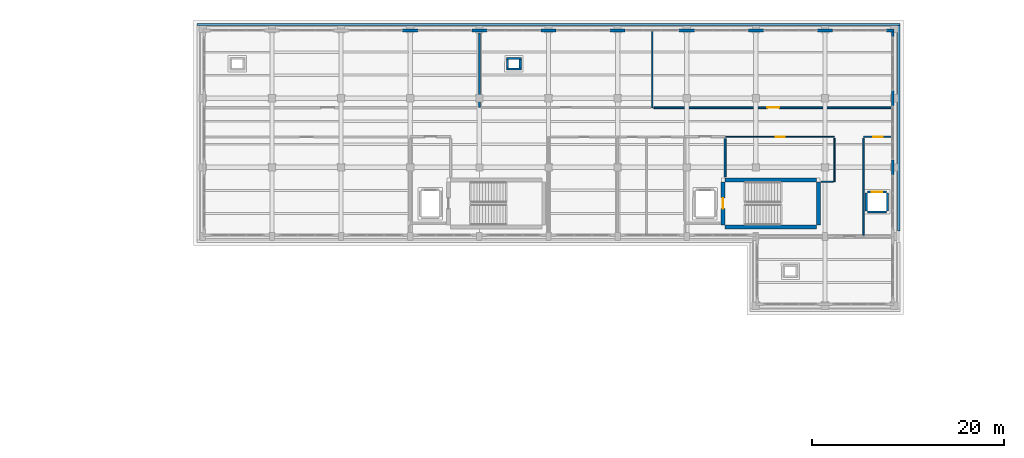
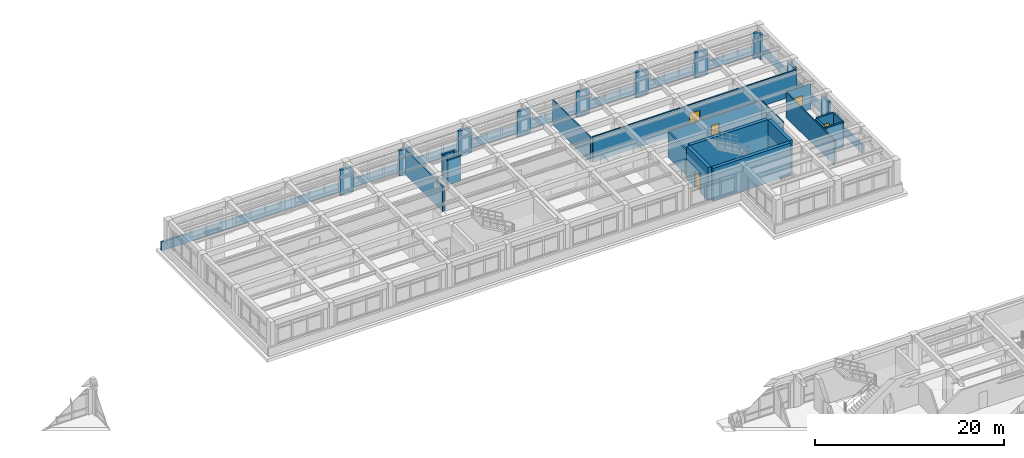
# One storey, part 52 of 67: 34 walls, 5 doors, 5 openings.
"""IFC4 building model written with IfcOpenShell, lengths in metres."""

from ifc_helpers import new_model, si_unit, direction, frame, frame_2d, origin, place, context, subcontext, project, spatial, rectangle, extrude, material, layer, layer_set, type_object, element, fill, save


model = new_model("IFC4")

# Units and contexts
model_context = context("Model", 3, precision=1e-05, world=origin(), true_north=direction((0.0, 1.0)))
body_context = subcontext(model_context, "Body", "Model", "MODEL_VIEW")
ifc_project = project(units=[si_unit("LENGTHUNIT", "METRE"), si_unit("AREAUNIT", "SQUARE_METRE"), si_unit("VOLUMEUNIT", "CUBIC_METRE"), si_unit("PLANEANGLEUNIT", "RADIAN"), si_unit("MASSUNIT", "GRAM", prefix="KILO")], contexts=[model_context])

# Site, building, storey
site_placement = place(None, origin())
site = spatial("IfcSite", under=ifc_project, at=site_placement, CompositionType="ELEMENT")
building_placement = place(site_placement, origin())
building = spatial("IfcBuilding", under=site, at=building_placement, Name="Solenvale Faculty of Natural Sciences", CompositionType="ELEMENT")
storey_placement = place(building_placement, frame((0.0, 0.0, 13.5)))
storey = spatial("IfcBuildingStorey", under=building, at=storey_placement, Name="L03", CompositionType="ELEMENT", Elevation=13.5)

# Walls
ifc_material_1 = material(Name="Precast concrete 40 MPa", Category="concrete")
ifc_layer_1 = layer(ifc_material_1, 0.284912109375)
ifc_layer_set_1 = layer_set([ifc_layer_1], Name="Precast concrete 40 MPa")
wall_type_1 = type_object("IfcWallType", Name="WL-EXT-PRC-285", PredefinedType="STANDARD", material=ifc_layer_set_1)
wall_1_placement = place(storey_placement, frame((151.0576171875, 100.011962890625, 0.0), z_axis=(0.0, 0.0, 1.0), x_axis=(0.0, 1.0, 0.0)))
element("IfcWall", 1, at=wall_1_placement, inside=storey, type_object=wall_type_1, Name="L03 Facade Closure Pier 3.B1-R", PredefinedType="STANDARD", context=body_context, shape_type="SweptSolid", body=[
    extrude(rectangle(XDim=1.575927734375, YDim=0.284912109375, at=frame_2d((0.7880859375, 0.0))), origin(), (0.0, 0.0, 1.0), 3.260009765625),
])
wall_2_placement = place(storey_placement, frame((151.0576171875, 107.2119140625, 0.0), z_axis=(0.0, 0.0, 1.0), x_axis=(0.0, 1.0, 0.0)))
element("IfcWall", 2, at=wall_2_placement, inside=storey, type_object=wall_type_1, Name="L03 Facade Closure Pier 3.B2-R", PredefinedType="STANDARD", context=body_context, shape_type="SweptSolid", body=[
    extrude(rectangle(XDim=1.576171875, YDim=0.284912109375, at=frame_2d((0.7880859375, 0.0))), origin(), (0.0, 0.0, 1.0), 3.260009765625),
])
wall_3_placement = place(storey_placement, frame((151.0576171875, 114.412109375, 0.0), z_axis=(0.0, 0.0, 1.0), x_axis=(0.0, 1.0, 0.0)))
element("IfcWall", 3, at=wall_3_placement, inside=storey, type_object=wall_type_1, Name="L03 Facade Closure Pier 3.B3-R", PredefinedType="STANDARD", context=body_context, shape_type="SweptSolid", body=[
    extrude(rectangle(XDim=0.5029296875, YDim=0.284912109375, at=frame_2d((0.25146484375, 0.0))), origin(), (0.0, 0.0, 1.0), 3.260009765625),
])
wall_4_placement = place(storey_placement, frame((151.199951171875, 115.0576171875, 0.0), z_axis=(0.0, 0.0, 1.0), x_axis=(-1.0, 0.0, 0.0)))
element("IfcWall", 4, at=wall_4_placement, inside=storey, type_object=wall_type_1, Name="L03 Facade Closure Pier 4.B1-L", PredefinedType="STANDARD", context=body_context, shape_type="SweptSolid", body=[
    extrude(rectangle(XDim=0.787841796875, YDim=0.284912109375, at=frame_2d((0.39404296875, 0.0))), origin(), (0.0, 0.0, 1.0), 3.260009765625),
])
wall_5_placement = place(storey_placement, frame((144.7880859375, 115.0576171875, 0.0), z_axis=(0.0, 0.0, 1.0), x_axis=(-1.0, 0.0, 0.0)))
element("IfcWall", 5, at=wall_5_placement, inside=storey, type_object=wall_type_1, Name="L03 Facade Closure Pier 4.B1-R", PredefinedType="STANDARD", context=body_context, shape_type="SweptSolid", body=[
    extrude(rectangle(XDim=1.576171875, YDim=0.284912109375, at=frame_2d((0.7880859375, 0.0))), origin(), (0.0, 0.0, 1.0), 3.260009765625),
])
for number, where, z_axis, x_axis, name in (
    (6, (137.587890625, 115.0576171875, 0.0), (0.0, 0.0, 1.0), (-1.0, 0.0, 0.0), "L03 Facade Closure Pier 4.B2-R"),
    (7, (130.387939453125, 115.0576171875, 0.0), (0.0, 0.0, 1.0), (-1.0, 0.0, 0.0), "L03 Facade Closure Pier 4.B3-R"),
    (8, (123.18798828125, 115.0576171875, 0.0), (0.0, 0.0, 1.0), (-1.0, 0.0, 0.0), "L03 Facade Closure Pier 4.B4-R"),
    (9, (115.988037109375, 115.0576171875, 0.0), (0.0, 0.0, 1.0), (-1.0, 0.0, 0.0), "L03 Facade Closure Pier 4.B5-R"),
):
    element("IfcWall", number, at=place(storey_placement, frame(where, z_axis=z_axis, x_axis=x_axis)), inside=storey, type_object=wall_type_1, Name=name, PredefinedType="STANDARD", context=body_context, shape_type="SweptSolid", body=[
        extrude(rectangle(XDim=1.575927734375, YDim=0.284912109375, at=frame_2d((0.7880859375, 0.0))), origin(), (0.0, 0.0, 1.0), 3.260009765625),
    ])
wall_6_placement = place(storey_placement, frame((108.7880859375, 115.0576171875, 0.0), z_axis=(0.0, 0.0, 1.0), x_axis=(-1.0, 0.0, 0.0)))
element("IfcWall", 10, at=wall_6_placement, inside=storey, type_object=wall_type_1, Name="L03 Facade Closure Pier 4.B6-R", PredefinedType="STANDARD", context=body_context, shape_type="SweptSolid", body=[
    extrude(rectangle(XDim=1.576171875, YDim=0.284912109375, at=frame_2d((0.7880859375, 0.0))), origin(), (0.0, 0.0, 1.0), 3.260009765625),
])
wall_7_placement = place(storey_placement, frame((101.587890625, 115.0576171875, 0.0), z_axis=(0.0, 0.0, 1.0), x_axis=(-1.0, 0.0, 0.0)))
element("IfcWall", 11, at=wall_7_placement, inside=storey, type_object=wall_type_1, Name="L03 Facade Closure Pier 4.B7-R", PredefinedType="STANDARD", context=body_context, shape_type="SweptSolid", body=[
    extrude(rectangle(XDim=1.575927734375, YDim=0.284912109375, at=frame_2d((0.7880859375, 0.0))), origin(), (0.0, 0.0, 1.0), 3.260009765625),
])
ifc_material_2 = material(Name="Gypsum fire-rated shaftwall")
ifc_layer_2 = layer(ifc_material_2, 0.205078125)
ifc_layer_set_2 = layer_set([ifc_layer_2], Name="Gypsum fire-rated shaftwall")
wall_type_2 = type_object("IfcWallType", Name="WL-FFL-205", PredefinedType="PARTITIONING", material=ifc_layer_set_2)
wall_8_placement = place(storey_placement, frame((133.60009765625, 103.782958984375, 0.0), z_axis=(0.0, 0.0, 1.0), x_axis=(0.0, -1.0, 0.0)))
element("IfcWall", 12, at=wall_8_placement, inside=storey, type_object=wall_type_2, Name="L03 Firefighting Lobby C5 Partition 2", PredefinedType="PARTITIONING", context=body_context, shape_type="SweptSolid", body=[
    extrude(rectangle(XDim=3.9580078125, YDim=0.205078125, at=frame_2d((1.97900390625, 0.0))), origin(), (0.0, 0.0, 1.0), 3.260009765625),
])

# Wall, opening, door
ifc_material_3 = material(Name="Gypsum fire-rated laboratory partition")
ifc_layer_3 = layer(ifc_material_3, 0.175048828125)
ifc_layer_set_3 = layer_set([ifc_layer_3], Name="Gypsum fire-rated laboratory partition")
wall_type_3 = type_object("IfcWallType", Name="WL-LAB-175", PredefinedType="PARTITIONING", material=ifc_layer_set_3)
wall_9_placement = place(storey_placement, frame((151.01806640625, 107.02001953125, 0.0), z_axis=(0.0, 0.0, 1.0), x_axis=(-1.0, 0.0, 0.0)))
wall_9 = element("IfcWall", 13, at=wall_9_placement, inside=storey, type_object=wall_type_3, Name="L03 Optics and Photonics Research Laboratory Partition 4", PredefinedType="PARTITIONING", context=body_context, shape_type="SweptSolid", body=[
    extrude(rectangle(XDim=24.84912109375, YDim=0.175048828125, at=frame_2d((12.424560546875, 0.0))), origin(), (0.0, 0.0, 1.0), 3.260009765625),
])
opening_1_placement = place(wall_9_placement, frame((11.800048828125, 0.0, 0.0)))
opening_1 = element("IfcOpeningElement", 14, at=opening_1_placement, cuts=wall_9, Name="Opening D-L03-15", PredefinedType="OPENING", context=body_context, shape_type="SweptSolid", body=[
    extrude(rectangle(XDim=1.25, YDim=2.14990234375, at=frame_2d((0.625, 1.074951171875))), frame((0.0, 0.097412109375, 0.0), z_axis=(0.0, -1.0, 0.0), x_axis=(1.0, 0.0, 0.0)), (0.0, 0.0, 1.0), 0.195068359375),
])
ifc_material_4 = material(Name="Oak acoustic timber leaf", Category="wood")
door_type_1 = type_object("IfcDoorType", Name="DR-LAB-1250x2150", OperationType="NOTDEFINED", PredefinedType="DOOR", material=ifc_material_4)
door_1_placement = place(opening_1_placement, origin())
door_1 = element("IfcDoor", 15, at=door_1_placement, inside=storey, type_object=door_type_1, Name="L03 Optics and Photonics Research Laboratory Door", OperationType="SINGLE_SWING_LEFT", OverallHeight=2.14990234375, OverallWidth=1.25, PredefinedType="DOOR", context=body_context, shape_type="SweptSolid", body=[
    extrude(rectangle(XDim=1.25, YDim=2.14990234375, at=frame_2d((0.625, 1.074951171875))), frame((0.0, 0.02490234375, 0.0), z_axis=(0.0, -1.0, 0.0), x_axis=(1.0, 0.0, 0.0)), (0.0, 0.0, 1.0), 0.050048828125),
])
fill(opening_1, door_1)

# Wall
ifc_layer_4 = layer(ifc_material_3, 0.22802734375)
ifc_layer_set_4 = layer_set([ifc_layer_4], Name="Gypsum fire-rated laboratory partition")
wall_type_4 = type_object("IfcWallType", Name="WL-LAB-228", PredefinedType="PARTITIONING", material=ifc_layer_set_4)
wall_10_placement = place(storey_placement, frame((108.0, 114.7890625, 0.0), z_axis=(0.0, 0.0, 1.0), x_axis=(0.0, -1.0, 0.0)))
element("IfcWall", 16, at=wall_10_placement, inside=storey, type_object=wall_type_4, Name="L03 Environmental Genomics Laboratory Partition 3", PredefinedType="PARTITIONING", context=body_context, shape_type="SweptSolid", body=[
    extrude(rectangle(XDim=7.76904296875, YDim=0.22802734375, at=frame_2d((3.884521484375, 0.0))), origin(), (0.0, 0.0, 1.0), 3.260009765625),
])

# Wall, opening, door
ifc_material_5 = material(Name="Acoustic stud gypsum partition")
ifc_layer_5 = layer(ifc_material_5, 0.125)
ifc_layer_set_5 = layer_set([ifc_layer_5], Name="Acoustic stud gypsum partition")
wall_type_5 = type_object("IfcWallType", Name="WL-OFF-125", PredefinedType="PARTITIONING", material=ifc_layer_set_5)
wall_11_placement = place(storey_placement, frame((133.674072265625, 103.97998046875, 0.0), z_axis=(0.0, 0.0, 1.0), x_axis=(1.0, 0.0, 0.0)))
wall_11 = element("IfcWall", 17, at=wall_11_placement, inside=storey, type_object=wall_type_5, Name="L03 Building Electrical and Telecom Closet Partition 18", PredefinedType="PARTITIONING", context=body_context, shape_type="SweptSolid", body=[
    extrude(rectangle(XDim=11.305908203125, YDim=0.125, at=frame_2d((5.65283203125, 0.0))), origin(), (0.0, 0.0, 1.0), 3.260009765625),
])
opening_2_placement = place(wall_11_placement, frame((5.193115234375, 0.0, 0.0)))
opening_2 = element("IfcOpeningElement", 18, at=opening_2_placement, cuts=wall_11, Name="Opening D-L03-19", PredefinedType="OPENING", context=body_context, shape_type="SweptSolid", body=[
    extrude(rectangle(XDim=0.919921875, YDim=2.10009765625, at=frame_2d((0.4599609375, 1.050048828125))), frame((0.0, 0.072509765625, 0.0), z_axis=(0.0, -1.0, 0.0), x_axis=(1.0, 0.0, 0.0)), (0.0, 0.0, 1.0), 0.14501953125),
])
door_type_2 = type_object("IfcDoorType", Name="DR-OFF-0920x2100", OperationType="NOTDEFINED", PredefinedType="DOOR", material=ifc_material_4)
door_2_placement = place(opening_2_placement, origin())
door_2 = element("IfcDoor", 19, at=door_2_placement, inside=storey, type_object=door_type_2, Name="L03 Building Electrical and Telecom Closet Door", OperationType="SINGLE_SWING_LEFT", OverallHeight=2.10009765625, OverallWidth=0.919921875, PredefinedType="DOOR", context=body_context, shape_type="SweptSolid", body=[
    extrude(rectangle(XDim=0.919921875, YDim=2.10009765625, at=frame_2d((0.4599609375, 1.050048828125))), frame((0.0, 0.02490234375, 0.0), z_axis=(0.0, -1.0, 0.0), x_axis=(1.0, 0.0, 0.0)), (0.0, 0.0, 1.0), 0.050048828125),
])
fill(opening_2, door_2)

# Walls
wall_12_placement = place(storey_placement, frame((144.97998046875, 103.843017578125, 0.0), z_axis=(0.0, 0.0, 1.0), x_axis=(0.0, -1.0, 0.0)))
element("IfcWall", 20, at=wall_12_placement, inside=storey, type_object=wall_type_5, Name="L03 Building Electrical and Telecom Closet Partition 19", PredefinedType="PARTITIONING", context=body_context, shape_type="SweptSolid", body=[
    extrude(rectangle(XDim=4.54296875, YDim=0.125, at=frame_2d((2.271484375, 0.0))), origin(), (0.0, 0.0, 1.0), 3.260009765625),
])
wall_13_placement = place(storey_placement, frame((144.843017578125, 99.300048828125, 0.0), z_axis=(0.0, 0.0, 1.0), x_axis=(-1.0, 0.0, 0.0)))
element("IfcWall", 21, at=wall_13_placement, inside=storey, type_object=wall_type_5, Name="L03 Building Electrical and Telecom Closet Partition 20", PredefinedType="PARTITIONING", context=body_context, shape_type="SweptSolid", body=[
    extrude(rectangle(XDim=1.258056640625, YDim=0.125, at=frame_2d((0.62890625, 0.0))), origin(), (0.0, 0.0, 1.0), 3.260009765625),
])

# Wall, opening, door
ifc_layer_6 = layer(ifc_material_5, 0.132080078125)
ifc_layer_set_6 = layer_set([ifc_layer_6], Name="Acoustic stud gypsum partition")
wall_type_6 = type_object("IfcWallType", Name="WL-OFF-132", PredefinedType="PARTITIONING", material=ifc_layer_set_6)
wall_14_placement = place(storey_placement, frame((148.02001953125, 103.97998046875, 0.0), z_axis=(0.0, 0.0, 1.0), x_axis=(1.0, 0.0, 0.0)))
wall_14 = element("IfcWall", 22, at=wall_14_placement, inside=storey, type_object=wall_type_6, Name="L03 Elevator Lobby Partition 1", PredefinedType="PARTITIONING", context=body_context, shape_type="SweptSolid", body=[
    extrude(rectangle(XDim=2.998046875, YDim=0.132080078125, at=frame_2d((1.4990234375, 0.0))), origin(), (0.0, 0.0, 1.0), 3.260009765625),
])
opening_3_placement = place(wall_14_placement, frame((1.009033203125, 0.0, 0.0)))
opening_3 = element("IfcOpeningElement", 23, at=opening_3_placement, cuts=wall_14, Name="Opening D-L03-20", PredefinedType="OPENING", context=body_context, shape_type="SweptSolid", body=[
    extrude(rectangle(XDim=0.97998046875, YDim=2.10009765625, at=frame_2d((0.489990234375, 1.050048828125))), frame((0.0, 0.075927734375, 0.0), z_axis=(0.0, -1.0, 0.0), x_axis=(1.0, 0.0, 0.0)), (0.0, 0.0, 1.0), 0.152099609375),
])
door_type_3 = type_object("IfcDoorType", Name="DR-OFF-0980x2100", OperationType="NOTDEFINED", PredefinedType="DOOR", material=ifc_material_4)
door_3_placement = place(opening_3_placement, origin())
door_3 = element("IfcDoor", 24, at=door_3_placement, inside=storey, type_object=door_type_3, Name="L03 Elevator Lobby Door", OperationType="SINGLE_SWING_RIGHT", OverallHeight=2.10009765625, OverallWidth=0.97998046875, PredefinedType="DOOR", context=body_context, shape_type="SweptSolid", body=[
    extrude(rectangle(XDim=0.97998046875, YDim=2.10009765625, at=frame_2d((0.489990234375, 1.050048828125))), frame((0.0, 0.02490234375, 0.0), z_axis=(0.0, -1.0, 0.0), x_axis=(1.0, 0.0, 0.0)), (0.0, 0.0, 1.0), 0.050048828125),
])
fill(opening_3, door_3)

# Walls
wall_15_placement = place(storey_placement, frame((148.02001953125, 93.7451171875, 0.0), z_axis=(0.0, 0.0, 1.0), x_axis=(0.0, 1.0, 0.0)))
element("IfcWall", 25, at=wall_15_placement, inside=storey, type_object=wall_type_6, Name="L03 Elevator Lobby Partition 4", PredefinedType="PARTITIONING", context=body_context, shape_type="SweptSolid", body=[
    extrude(rectangle(XDim=10.0908203125, YDim=0.132080078125, at=frame_2d((5.04541015625, 0.0))), origin(), (0.0, 0.0, 1.0), 3.260009765625),
])
ifc_layer_7 = layer(ifc_material_5, 0.139892578125)
ifc_layer_set_7 = layer_set([ifc_layer_7], Name="Acoustic stud gypsum partition")
wall_type_7 = type_object("IfcWallType", Name="WL-OFF-140", PredefinedType="PARTITIONING", material=ifc_layer_set_7)
wall_16_placement = place(storey_placement, frame((126.0, 115.01708984375, 0.0), z_axis=(0.0, 0.0, 1.0), x_axis=(0.0, -1.0, 0.0)))
element("IfcWall", 26, at=wall_16_placement, inside=storey, type_object=wall_type_7, Name="L03 Faculty Staff Office Partition 3", PredefinedType="PARTITIONING", context=body_context, shape_type="SweptSolid", body=[
    extrude(rectangle(XDim=7.9970703125, YDim=0.139892578125, at=frame_2d((3.99853515625, 0.0))), origin(), (0.0, 0.0, 1.0), 3.260009765625),
])
ifc_material_6 = material(Name="Architectural bronze concrete 40 MPa", Category="concrete")
ifc_layer_8 = layer(ifc_material_6, 0.239990234375)
ifc_layer_set_8 = layer_set([ifc_layer_8], Name="Architectural bronze concrete 40 MPa")
wall_type_8 = type_object("IfcWallType", Name="WL-PAR-BRZ-240", PredefinedType="PARAPET", material=ifc_layer_set_8)
wall_17_placement = place(storey_placement, frame((78.60009765625, 115.679931640625, 0.0), z_axis=(0.0, 0.0, 1.0), x_axis=(1.0, 0.0, 0.0)))
element("IfcWall", 27, at=wall_17_placement, inside=storey, type_object=wall_type_8, Name="L03 Tower Horizontal Concrete Band 7", PredefinedType="PARAPET", context=body_context, shape_type="SweptSolid", body=[
    extrude(rectangle(XDim=73.199951171875, YDim=0.239990234375, at=frame_2d((36.60009765625, 0.0))), origin(), (0.0, 0.0, 1.0), 1.1201171875),
])
wall_18_placement = place(storey_placement, frame((151.679931640625, 115.56005859375, 0.0), z_axis=(0.0, 0.0, 1.0), x_axis=(0.0, -1.0, 0.0)))
element("IfcWall", 28, at=wall_18_placement, inside=storey, type_object=wall_type_8, Name="L03 Tower Horizontal Concrete Band 8", PredefinedType="PARAPET", context=body_context, shape_type="SweptSolid", body=[
    extrude(rectangle(XDim=21.360107421875, YDim=0.239990234375, at=frame_2d((10.68017578125, 0.0))), origin(), (0.0, 0.0, 1.0), 1.1201171875),
])
ifc_material_7 = material(Name="Concrete 40 MPa", Category="concrete")
ifc_layer_9 = layer(ifc_material_7, 0.219970703125)
ifc_layer_set_9 = layer_set([ifc_layer_9], Name="Concrete 40 MPa")
wall_type_9 = type_object("IfcWallType", Name="WL-SHF-220", PredefinedType="STANDARD", material=ifc_layer_set_9)
wall_19_placement = place(storey_placement, frame((148.405029296875, 96.169921875, 0.0), z_axis=(0.0, 0.0, 1.0), x_axis=(1.0, 0.0, 0.0)))
element("IfcWall", 29, at=wall_19_placement, inside=storey, type_object=wall_type_9, Name="Elevator LP-03 L03 Shaft Wall S", PredefinedType="STANDARD", context=body_context, shape_type="SweptSolid", body=[
    extrude(rectangle(XDim=1.989990234375, YDim=0.219970703125, at=frame_2d((0.9951171875, 0.0))), origin(), (0.0, 0.0, 1.0), 3.260009765625),
])

# Wall, opening, door
wall_20_placement = place(storey_placement, frame((148.405029296875, 98.22998046875, 0.0), z_axis=(0.0, 0.0, 1.0), x_axis=(1.0, 0.0, 0.0)))
wall_20 = element("IfcWall", 30, at=wall_20_placement, inside=storey, type_object=wall_type_9, Name="Elevator LP-03 L03 Shaft Wall N", PredefinedType="STANDARD", context=body_context, shape_type="SweptSolid", body=[
    extrude(rectangle(XDim=1.989990234375, YDim=0.219970703125, at=frame_2d((0.9951171875, 0.0))), origin(), (0.0, 0.0, 1.0), 3.260009765625),
])
opening_4_placement = place(wall_20_placement, frame((0.445068359375, 0.0, 0.0)))
opening_4 = element("IfcOpeningElement", 31, at=opening_4_placement, cuts=wall_20, Name="Opening LD-LP-03-L03", PredefinedType="OPENING", context=body_context, shape_type="SweptSolid", body=[
    extrude(rectangle(XDim=1.10009765625, YDim=2.14990234375, at=frame_2d((0.550048828125, 1.074951171875))), frame((0.0, 0.119873046875, 0.0), z_axis=(0.0, -1.0, 0.0), x_axis=(1.0, 0.0, 0.0)), (0.0, 0.0, 1.0), 0.239990234375),
])
ifc_material_8 = material(Name="Stainless steel Grade 304", Category="steel")
door_type_4 = type_object("IfcDoorType", Name="DR-LIFT-1100x2150", OperationType="NOTDEFINED", PredefinedType="DOOR", material=ifc_material_8)
door_4_placement = place(opening_4_placement, origin())
door_4 = element("IfcDoor", 32, at=door_4_placement, inside=storey, type_object=door_type_4, Name="Elevator LP-03 L03 Sliding Landing Door", OperationType="SLIDING_TO_RIGHT", OverallHeight=2.14990234375, OverallWidth=1.10009765625, PredefinedType="DOOR", context=body_context, shape_type="SweptSolid", body=[
    extrude(rectangle(XDim=1.10009765625, YDim=2.14990234375, at=frame_2d((0.550048828125, 1.074951171875))), frame((0.0, 0.02490234375, 0.0), z_axis=(0.0, -1.0, 0.0), x_axis=(1.0, 0.0, 0.0)), (0.0, 0.0, 1.0), 0.050048828125),
])
fill(opening_4, door_4)

# Walls
for number, where, z_axis, x_axis, name in (
    (33, (148.294921875, 96.280029296875, 0.0), (0.0, 0.0, 1.0), (0.0, 1.0, 0.0), "Elevator LP-03 L03 Shaft Wall W"),
    (34, (150.5048828125, 96.280029296875, 0.0), (0.0, 0.0, 1.0), (0.0, 1.0, 0.0), "Elevator LP-03 L03 Shaft Wall E"),
):
    element("IfcWall", number, at=place(storey_placement, frame(where, z_axis=z_axis, x_axis=x_axis)), inside=storey, type_object=wall_type_9, Name=name, PredefinedType="STANDARD", context=body_context, shape_type="SweptSolid", body=[
        extrude(rectangle(XDim=1.840087890625, YDim=0.219970703125, at=frame_2d((0.919921875, 0.0))), origin(), (0.0, 0.0, 1.0), 3.260009765625),
    ])
for number, where, z_axis, x_axis, name in (
    (35, (110.830078125, 111.0400390625, 0.0), (0.0, 0.0, 1.0), (1.0, 0.0, 0.0), "L03 Service Riser Shaft 5 Wall S"),
    (36, (110.830078125, 112.159912109375, 0.0), (0.0, 0.0, 1.0), (1.0, 0.0, 0.0), "L03 Service Riser Shaft 5 Wall N"),
):
    element("IfcWall", number, at=place(storey_placement, frame(where, z_axis=z_axis, x_axis=x_axis)), inside=storey, type_object=wall_type_9, Name=name, PredefinedType="STANDARD", context=body_context, shape_type="SweptSolid", body=[
        extrude(rectangle(XDim=1.5400390625, YDim=0.219970703125, at=frame_2d((0.77001953125, 0.0))), origin(), (0.0, 0.0, 1.0), 3.260009765625),
    ])
for number, where, z_axis, x_axis, name in (
    (37, (110.93994140625, 111.14990234375, 0.0), (0.0, 0.0, 1.0), (0.0, 1.0, 0.0), "L03 Service Riser Shaft 5 Wall W"),
    (38, (112.260009765625, 111.14990234375, 0.0), (0.0, 0.0, 1.0), (0.0, 1.0, 0.0), "L03 Service Riser Shaft 5 Wall E"),
):
    element("IfcWall", number, at=place(storey_placement, frame(where, z_axis=z_axis, x_axis=x_axis)), inside=storey, type_object=wall_type_9, Name=name, PredefinedType="STANDARD", context=body_context, shape_type="SweptSolid", body=[
        extrude(rectangle(XDim=0.900146484375, YDim=0.219970703125, at=frame_2d((0.4501953125, 0.0))), origin(), (0.0, 0.0, 1.0), 3.260009765625),
    ])
ifc_material_9 = material(Name="Concrete 50 MPa", Category="concrete")
ifc_layer_10 = layer(ifc_material_9, 0.409912109375)
ifc_layer_set_10 = layer_set([ifc_layer_10], Name="Concrete 50 MPa")
wall_type_10 = type_object("IfcWallType", Name="WL-SHR-410", PredefinedType="SHEAR", material=ifc_layer_set_10)
for number, where, z_axis, x_axis, name in (
    (39, (133.60009765625, 94.594970703125, 0.0), (0.0, 0.0, 1.0), (1.0, 0.0, 0.0), "Core C5 L03 Shear Wall S"),
    (40, (133.60009765625, 99.5048828125, 0.0), (0.0, 0.0, 1.0), (1.0, 0.0, 0.0), "Core C5 L03 Shear Wall N"),
):
    element("IfcWall", number, at=place(storey_placement, frame(where, z_axis=z_axis, x_axis=x_axis)), inside=storey, type_object=wall_type_10, Name=name, PredefinedType="SHEAR", context=body_context, shape_type="SweptSolid", body=[
        extrude(rectangle(XDim=9.5, YDim=0.409912109375, at=frame_2d((4.75, 0.0))), origin(), (0.0, 0.0, 1.0), 4.219970703125),
    ])

# Wall, opening, door
wall_21_placement = place(storey_placement, frame((133.39501953125, 94.800048828125, 0.0), z_axis=(0.0, 0.0, 1.0), x_axis=(0.0, 1.0, 0.0)))
wall_21 = element("IfcWall", 41, at=wall_21_placement, inside=storey, type_object=wall_type_10, Name="Core C5 L03 Shear Wall W", PredefinedType="SHEAR", context=body_context, shape_type="SweptSolid", body=[
    extrude(rectangle(XDim=4.5, YDim=0.409912109375, at=frame_2d((2.25, 0.0))), origin(), (0.0, 0.0, 1.0), 4.219970703125),
])
opening_5_placement = place(wall_21_placement, frame((1.699951171875, 0.0, 0.0)))
opening_5 = element("IfcOpeningElement", 42, at=opening_5_placement, cuts=wall_21, Name="Opening DS-C5-L03", PredefinedType="OPENING", context=body_context, shape_type="SweptSolid", body=[
    extrude(rectangle(XDim=1.10009765625, YDim=2.14990234375, at=frame_2d((0.550048828125, 1.074951171875))), frame((0.0, 0.21484375, 0.0), z_axis=(0.0, -1.0, 0.0), x_axis=(1.0, 0.0, 0.0)), (0.0, 0.0, 1.0), 0.429931640625),
])
ifc_material_10 = material(Name="Galvanised steel S355", Category="steel")
door_type_5 = type_object("IfcDoorType", Name="DR-STAIR-1100x2150", OperationType="NOTDEFINED", PredefinedType="DOOR", material=ifc_material_10)
door_5_placement = place(opening_5_placement, origin())
door_5 = element("IfcDoor", 43, at=door_5_placement, inside=storey, type_object=door_type_5, Name="L03 Stair ST-05 Fire Door", OperationType="SINGLE_SWING_RIGHT", OverallHeight=2.14990234375, OverallWidth=1.10009765625, PredefinedType="DOOR", context=body_context, shape_type="SweptSolid", body=[
    extrude(rectangle(XDim=1.10009765625, YDim=2.14990234375, at=frame_2d((0.550048828125, 1.074951171875))), frame((0.0, 0.02490234375, 0.0), z_axis=(0.0, -1.0, 0.0), x_axis=(1.0, 0.0, 0.0)), (0.0, 0.0, 1.0), 0.050048828125),
])
fill(opening_5, door_5)

# Wall
wall_22_placement = place(storey_placement, frame((143.304931640625, 94.800048828125, 0.0), z_axis=(0.0, 0.0, 1.0), x_axis=(0.0, 1.0, 0.0)))
element("IfcWall", 44, at=wall_22_placement, inside=storey, type_object=wall_type_10, Name="Core C5 L03 Shear Wall E", PredefinedType="SHEAR", context=body_context, shape_type="SweptSolid", body=[
    extrude(rectangle(XDim=4.5, YDim=0.409912109375, at=frame_2d((2.25, 0.0))), origin(), (0.0, 0.0, 1.0), 4.219970703125),
])

save(model, "model.ifc")
